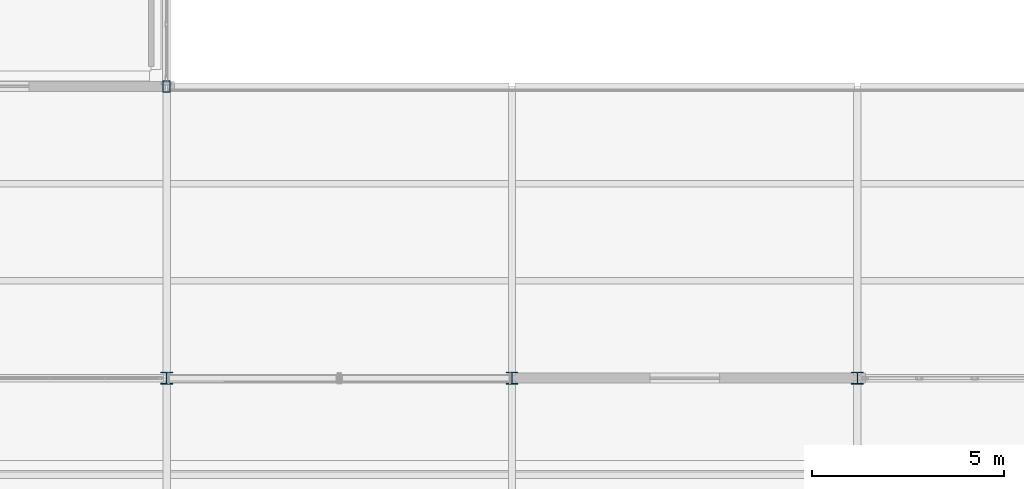
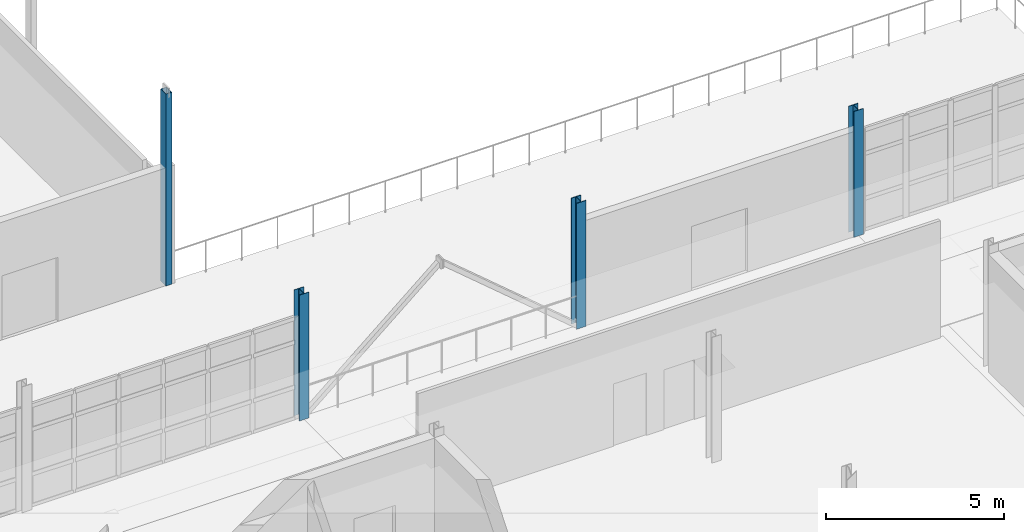
# One storey, part 7 of 166: 4 columns.
"""IFC4 building model written with IfcOpenShell, lengths in metres."""

from ifc_helpers import new_model, si_unit, direction, frame, origin, origin_2d, place, context, subcontext, project, spatial, hollow_rectangle, i_section, extrude, material, material_profile, profile_set, type_object, element, save


model = new_model("IFC4")

# Units and contexts
model_context = context("Model", 3, precision=1e-05, world=origin(), true_north=direction((0.0, 1.0)))
body_context = subcontext(model_context, "Body", "Model", "MODEL_VIEW")
ifc_project = project(units=[si_unit("LENGTHUNIT", "METRE"), si_unit("AREAUNIT", "SQUARE_METRE"), si_unit("VOLUMEUNIT", "CUBIC_METRE"), si_unit("PLANEANGLEUNIT", "RADIAN"), si_unit("MASSUNIT", "GRAM", prefix="KILO")], contexts=[model_context])

# Site, building, storey
site_placement = place(None, origin())
site = spatial("IfcSite", under=ifc_project, at=site_placement, CompositionType="ELEMENT")
building_placement = place(site_placement, origin())
building = spatial("IfcBuilding", under=site, at=building_placement, Name="Caisbarro Railhouse Central Library", CompositionType="ELEMENT")
storey_placement = place(building_placement, frame((0.0, 0.0, 9.360107421875)))
storey = spatial("IfcBuildingStorey", under=building, at=storey_placement, Name="L02", CompositionType="ELEMENT", Elevation=9.360107421875)

# Columns
ifc_material = material(Name="Steel ASTM A572 Grade 50", Category="steel")
ifc_material_profile_1 = material_profile(ifc_material, i_section(OverallWidth=0.31201171875, OverallDepth=0.31201171875, WebThickness=0.017333984375, FlangeThickness=0.017333984375, FilletRadius=0.014892578125, at=origin_2d()), Name="HP310X125.0")
ifc_profile_set_1 = profile_set([ifc_material_profile_1], Name="Steel ASTM A572 Grade 50")
column_type_1 = type_object("IfcColumnType", Name="COL-C03", PredefinedType="COLUMN", material=ifc_profile_set_1)
for number, where, z_axis, x_axis, name in (
    (1, (72.0, 22.800048828125, 0.0), (0.0, 0.0, 1.0), (1.0, 0.0, 0.0), "C03 column L02 (72.0,22.8)"),
    (2, (81.0, 22.800048828125, 0.0), (0.0, 0.0, 1.0), (1.0, 0.0, 0.0), "C03 column L02 (81.0,22.8)"),
    (3, (90.0, 22.800048828125, 0.0), (0.0, 0.0, 1.0), (1.0, 0.0, 0.0), "C03 column L02 (90.0,22.8)"),
):
    element("IfcColumn", number, at=place(storey_placement, frame(where, z_axis=z_axis, x_axis=x_axis)), inside=storey, type_object=column_type_1, Name=name, PredefinedType="COLUMN", context=body_context, shape_type="SweptSolid", body=[
        extrude(i_section(OverallWidth=0.31201171875, OverallDepth=0.31201171875, WebThickness=0.017333984375, FlangeThickness=0.017333984375, FilletRadius=0.014892578125, at=origin_2d()), origin(), (0.0, 0.0, 1.0), 4.31982421875),
    ])
ifc_material_profile_2 = material_profile(ifc_material, hollow_rectangle(XDim=0.199951171875, YDim=0.300048828125, WallThickness=0.012451171875, at=origin_2d()), Name="HSS300X200X12.5")
ifc_profile_set_2 = profile_set([ifc_material_profile_2], Name="Steel ASTM A572 Grade 50")
column_type_2 = type_object("IfcColumnType", Name="COL-C09", PredefinedType="COLUMN", material=ifc_profile_set_2)
column_placement = place(storey_placement, frame((72.0, 30.39990234375, 0.0), z_axis=(0.0, 0.0, 1.0), x_axis=(1.0, 0.0, 0.0)))
element("IfcColumn", 4, at=column_placement, inside=storey, type_object=column_type_2, Name="C09 column L02 (72.0,30.4)", PredefinedType="COLUMN", context=body_context, shape_type="SweptSolid", body=[
    extrude(hollow_rectangle(XDim=0.199951171875, YDim=0.300048828125, WallThickness=0.012451171875, at=origin_2d()), origin(), (0.0, 0.0, 1.0), 6.58984375),
])

save(model, "model.ifc")
